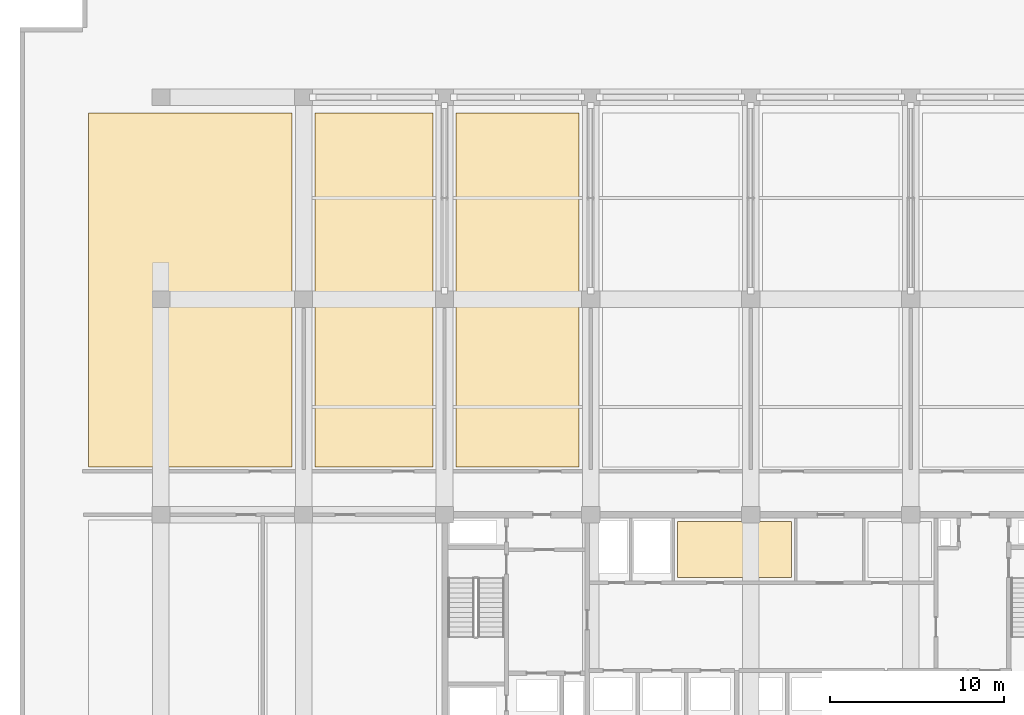
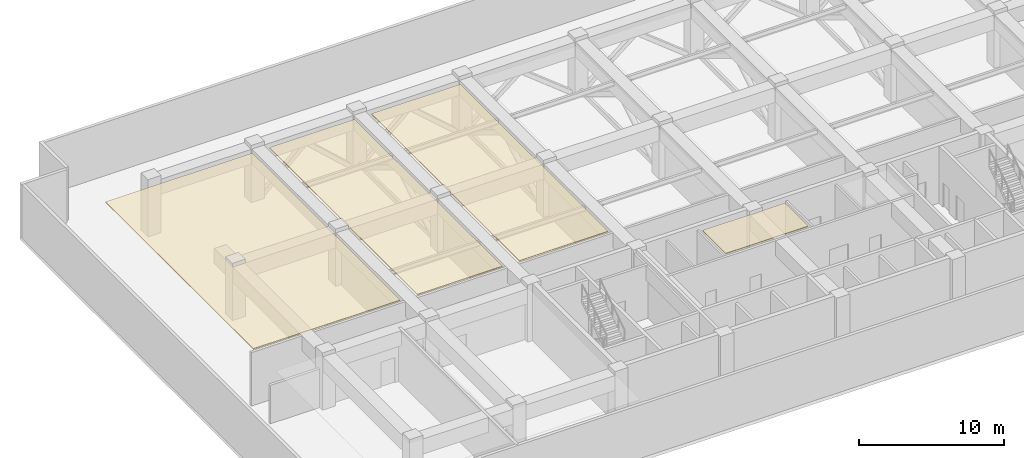
# One storey, part 19 of 21: 4 coverings.
"""IFC4 building model written with IfcOpenShell, lengths in metres."""

from ifc_helpers import new_model, si_unit, direction, frame, origin, place, context, subcontext, project, spatial, polyline, outline, extrude, material, layer, layer_set, type_object, element, save


model = new_model("IFC4")

# Units and contexts
model_context = context("Model", 3, precision=1e-05, world=origin(), true_north=direction((0.0, 1.0)))
body_context = subcontext(model_context, "Body", "Model", "MODEL_VIEW")
ifc_project = project(units=[si_unit("LENGTHUNIT", "METRE"), si_unit("AREAUNIT", "SQUARE_METRE"), si_unit("VOLUMEUNIT", "CUBIC_METRE"), si_unit("PLANEANGLEUNIT", "RADIAN"), si_unit("MASSUNIT", "GRAM", prefix="KILO")], contexts=[model_context])

# Site, building, storey
site_placement = place(None, origin())
site = spatial("IfcSite", under=ifc_project, at=site_placement, CompositionType="ELEMENT")
building_placement = place(site_placement, origin())
building = spatial("IfcBuilding", under=site, at=building_placement, Name="Korimba Cascade Residences", CompositionType="ELEMENT")
storey_placement = place(building_placement, frame((0.0, 0.0, 76.0)))
storey = spatial("IfcBuildingStorey", under=building, at=storey_placement, Name="L21", CompositionType="ELEMENT", Elevation=76.0)

# Coverings
ifc_material = material(Name="Mineral Wool Thermal Acoustic Insulation", Category="insulation")
ifc_layer = layer(ifc_material, 0.06005859375)
ifc_layer_set = layer_set([ifc_layer], Name="Mineral Wool Thermal Acoustic Insulation")
covering_type = type_object("IfcCoveringType", Name="COV-INS-60", PredefinedType="INSULATION", material=ifc_layer_set)
covering_1_placement = place(storey_placement, frame((0.0, 0.0, 4.419921875)))
element("IfcCovering", 1, at=covering_1_placement, inside=storey, type_object=covering_type, Name="L21 Mineral Wool Acoustic Soffit Insulation L21-HK1", PredefinedType="INSULATION", context=body_context, shape_type="SweptSolid", body=[
    extrude(outline(polyline([(89.5, 63.60009765625), (96.050048828125, 63.60009765625), (96.050048828125, 66.800048828125), (89.5, 66.800048828125), (89.5, 63.60009765625)])), origin(), (0.0, 0.0, 1.0), 0.06005859375),
])
covering_2_placement = place(storey_placement, frame((0.0, 0.0, 4.419921875)))
element("IfcCovering", 2, at=covering_2_placement, inside=storey, type_object=covering_type, Name="L21 Mineral Wool Acoustic Soffit Insulation L21-PL11", PredefinedType="INSULATION", context=body_context, shape_type="SweptSolid", body=[
    extrude(outline(polyline([(55.64990234375, 69.949951171875), (67.330078125, 69.949951171875), (67.330078125, 90.300048828125), (55.64990234375, 90.300048828125), (55.64990234375, 69.949951171875)])), origin(), (0.0, 0.0, 1.0), 0.06005859375),
])
covering_3_placement = place(storey_placement, frame((0.0, 0.0, 4.419921875)))
element("IfcCovering", 3, at=covering_3_placement, inside=storey, type_object=covering_type, Name="L21 Mineral Wool Acoustic Soffit Insulation L21-PL12", PredefinedType="INSULATION", context=body_context, shape_type="SweptSolid", body=[
    extrude(outline(polyline([(68.669921875, 69.949951171875), (75.429931640625, 69.949951171875), (75.429931640625, 90.300048828125), (68.669921875, 90.300048828125), (68.669921875, 69.949951171875)])), origin(), (0.0, 0.0, 1.0), 0.06005859375),
])
covering_4_placement = place(storey_placement, frame((0.0, 0.0, 4.419921875)))
element("IfcCovering", 4, at=covering_4_placement, inside=storey, type_object=covering_type, Name="L21 Mineral Wool Acoustic Soffit Insulation L21-PL13", PredefinedType="INSULATION", context=body_context, shape_type="SweptSolid", body=[
    extrude(outline(polyline([(76.77001953125, 69.949951171875), (83.830078125, 69.949951171875), (83.830078125, 90.300048828125), (76.77001953125, 90.300048828125), (76.77001953125, 69.949951171875)])), origin(), (0.0, 0.0, 1.0), 0.06005859375),
])

save(model, "model.ifc")
